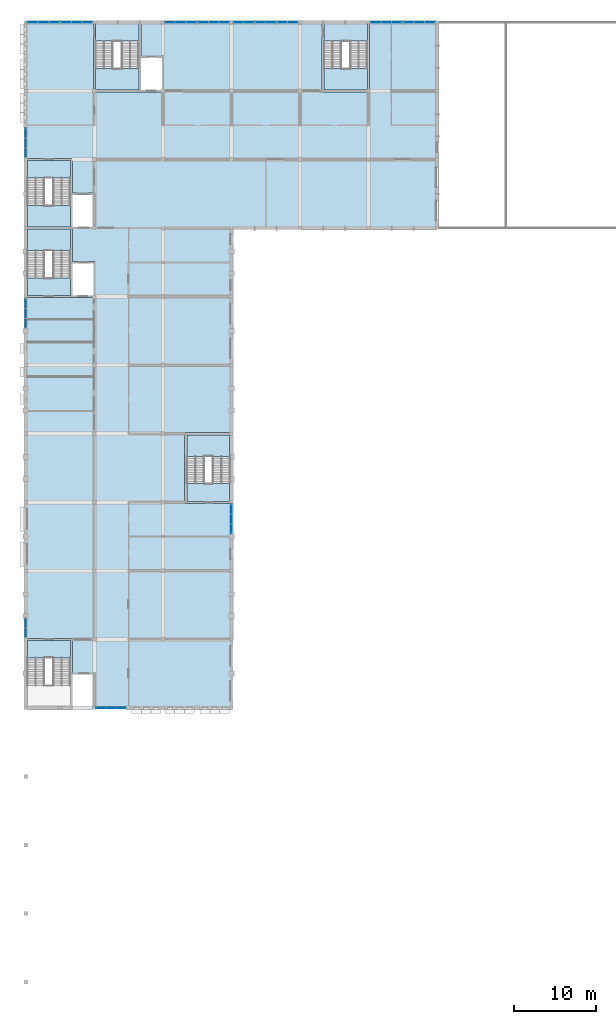
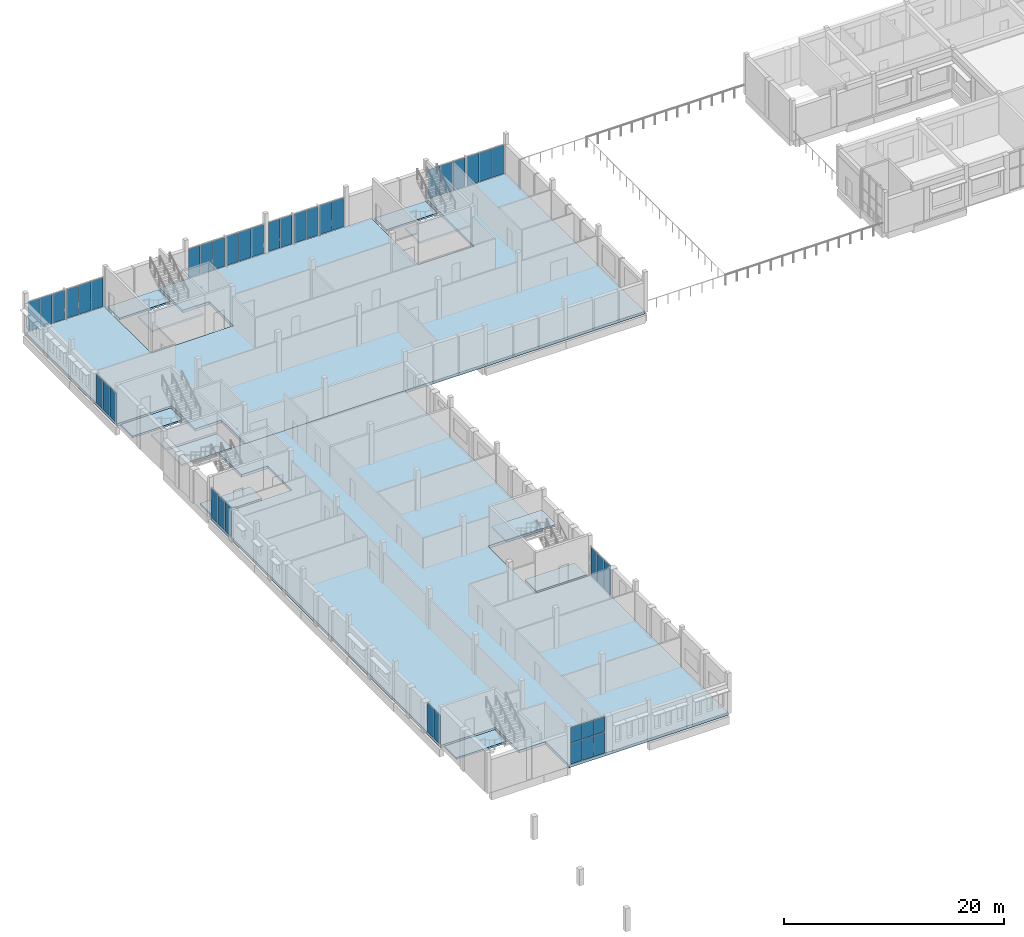
# One storey, part 16 of 30: 41 plates, 13 slabs, 20 elements without a shape of their own.
"""IFC4 building model written with IfcOpenShell, lengths in metres."""

from ifc_helpers import new_model, si_unit, direction, frame, origin, origin_2d, place, context, subcontext, project, spatial, polyline, rectangle, outline, extrude, material, layer, layer_set, type_object, element, aggregate, save


model = new_model("IFC4")

# Units and contexts
model_context = context("Model", 3, precision=1e-05, world=origin(), true_north=direction((0.0, 1.0)))
body_context = subcontext(model_context, "Body", "Model", "MODEL_VIEW")
ifc_project = project(units=[si_unit("LENGTHUNIT", "METRE"), si_unit("AREAUNIT", "SQUARE_METRE"), si_unit("VOLUMEUNIT", "CUBIC_METRE"), si_unit("PLANEANGLEUNIT", "RADIAN"), si_unit("MASSUNIT", "GRAM", prefix="KILO")], contexts=[model_context])

# Site, building, storey
site_placement = place(None, origin())
site = spatial("IfcSite", under=ifc_project, at=site_placement, CompositionType="ELEMENT")
building_placement = place(site_placement, origin())
building = spatial("IfcBuilding", under=site, at=building_placement, Name="Fescue Hill Polytechnic", CompositionType="ELEMENT")
storey_placement = place(building_placement, frame((0.0, 0.0, 22.5)))
storey = spatial("IfcBuildingStorey", under=building, at=storey_placement, Name="L05", CompositionType="ELEMENT", Elevation=22.5)

# Slabs
ifc_material_1 = material(Name="Concrete 35 MPa", Category="concrete")
ifc_layer_1 = layer(ifc_material_1, 0.300048828125)
ifc_layer_set_1 = layer_set([ifc_layer_1], Name="Concrete 35 MPa")
slab_type_1 = type_object("IfcSlabType", Name="Floor slab 300", PredefinedType="FLOOR", material=ifc_layer_set_1)
slab_1_placement = place(storey_placement, frame((0.0, 0.0, -0.300048828125)))
element("IfcSlab", 1, at=slab_1_placement, inside=storey, type_object=slab_type_1, Name="SL-L05-V4-1", PredefinedType="FLOOR", context=body_context, shape_type="SweptSolid", body=[
    extrude(outline(polyline([(25.199951171875, 50.39990234375), (8.5, 50.39990234375), (8.5, 54.699951171875), (5.72509765625, 54.699951171875), (5.72509765625, 58.925048828125), (0.0, 58.925048828125), (0.0, 100.675048828125), (5.72509765625, 100.675048828125), (5.72509765625, 100.699951171875), (8.5, 100.699951171875), (8.5, 105.10009765625), (5.72509765625, 105.10009765625), (5.72509765625, 109.199951171875), (25.199951171875, 109.199951171875), (25.199951171875, 84.125), (19.47509765625, 84.125), (19.47509765625, 75.47509765625), (25.199951171875, 75.47509765625), (25.199951171875, 50.39990234375)])), origin(), (0.0, 0.0, 1.0), 0.300048828125),
])
slab_2_placement = place(storey_placement, frame((0.0, 0.0, -0.300048828125)))
element("IfcSlab", 2, at=slab_2_placement, inside=storey, type_object=slab_type_1, Name="SL-L05-V5-1", PredefinedType="FLOOR", context=body_context, shape_type="SweptSolid", body=[
    extrude(outline(polyline([(50.39990234375, 134.39990234375), (50.39990234375, 109.199951171875), (8.5, 109.199951171875), (8.5, 113.5), (5.72509765625, 113.5), (5.72509765625, 117.72509765625), (0.0, 117.72509765625), (0.0, 134.39990234375), (8.27490234375, 134.39990234375), (8.27490234375, 125.875), (14.125, 125.875), (14.125, 125.89990234375), (16.89990234375, 125.89990234375), (16.89990234375, 130.300048828125), (14.125, 130.300048828125), (14.125, 134.39990234375), (36.27490234375, 134.39990234375), (36.27490234375, 125.875), (42.125, 125.875), (42.125, 134.39990234375), (50.39990234375, 134.39990234375)])), origin(), (0.0, 0.0, 1.0), 0.300048828125),
])

# Curtain wall, plates
ifc_material_2 = material(Name="Glass", Category="glass")
curtain_wall_type = type_object("IfcCurtainWallType", Name="Curtain wall structural glazing", PredefinedType="NOTDEFINED", material=ifc_material_2)
curtain_wall_1_placement = place(storey_placement, origin())
curtain_wall_1 = element("IfcCurtainWall", 3, at=curtain_wall_1_placement, inside=storey, type_object=curtain_wall_type, Name="CW-L05-V5-1", PredefinedType="NOTDEFINED")
ifc_layer_2 = layer(ifc_material_2, 0.028076171875)
ifc_layer_set_2 = layer_set([ifc_layer_2], Name="Glass")
plate_type = type_object("IfcPlateType", Name="Panel glazing 28", PredefinedType="CURTAIN_PANEL", material=ifc_layer_set_2)
plate_1_placement = place(storey_placement, frame((49.5283203125, 134.39990234375, 0.06005859375), z_axis=(0.0, 0.0, 1.0), x_axis=(-1.0, 0.0, 0.0)))
plate_1 = element("IfcPlate", 4, at=plate_1_placement, type_object=plate_type, Name="CW92 panel 1.1", PredefinedType="CURTAIN_PANEL", context=body_context, shape_type="SweptSolid", body=[
    extrude(rectangle(XDim=1.223388671875, YDim=0.028076171875, at=origin_2d()), origin(), (0.0, 0.0, 1.0), 3.2099609375),
])
plate_2_placement = place(storey_placement, frame((48.22998046875, 134.39990234375, 0.06005859375), z_axis=(0.0, 0.0, 1.0), x_axis=(-1.0, 0.0, 0.0)))
plate_2 = element("IfcPlate", 5, at=plate_2_placement, type_object=plate_type, Name="CW92 panel 2.1", PredefinedType="CURTAIN_PANEL", context=body_context, shape_type="SweptSolid", body=[
    extrude(rectangle(XDim=1.25341796875, YDim=0.028076171875, at=origin_2d()), origin(), (0.0, 0.0, 1.0), 3.2099609375),
])
plate_3_placement = place(storey_placement, frame((46.931640625, 134.39990234375, 0.06005859375), z_axis=(0.0, 0.0, 1.0), x_axis=(-1.0, 0.0, 0.0)))
plate_3 = element("IfcPlate", 6, at=plate_3_placement, type_object=plate_type, Name="CW92 panel 3.1", PredefinedType="CURTAIN_PANEL", context=body_context, shape_type="SweptSolid", body=[
    extrude(rectangle(XDim=1.223388671875, YDim=0.028076171875, at=origin_2d()), origin(), (0.0, 0.0, 1.0), 3.2099609375),
])
aggregate(curtain_wall_1, [plate_1, plate_2, plate_3])

curtain_wall_2_placement = place(storey_placement, origin())
curtain_wall_2 = element("IfcCurtainWall", 7, at=curtain_wall_2_placement, inside=storey, type_object=curtain_wall_type, Name="CW-L05-V5-2", PredefinedType="NOTDEFINED")
plate_4_placement = place(storey_placement, frame((32.7333984375, 134.39990234375, 0.06005859375), z_axis=(0.0, 0.0, 1.0), x_axis=(-1.0, 0.0, 0.0)))
plate_4 = element("IfcPlate", 8, at=plate_4_placement, type_object=plate_type, Name="CW93 panel 1.1", PredefinedType="CURTAIN_PANEL", context=body_context, shape_type="SweptSolid", body=[
    extrude(rectangle(XDim=1.21337890625, YDim=0.028076171875, at=origin_2d()), origin(), (0.0, 0.0, 1.0), 3.2099609375),
])
plate_5_placement = place(storey_placement, frame((31.4599609375, 134.39990234375, 0.06005859375), z_axis=(0.0, 0.0, 1.0), x_axis=(-1.0, 0.0, 0.0)))
plate_5 = element("IfcPlate", 9, at=plate_5_placement, type_object=plate_type, Name="CW93 panel 2.1", PredefinedType="CURTAIN_PANEL", context=body_context, shape_type="SweptSolid", body=[
    extrude(rectangle(XDim=1.21337890625, YDim=0.028076171875, at=origin_2d()), origin(), (0.0, 0.0, 1.0), 3.2099609375),
])
aggregate(curtain_wall_2, [plate_4, plate_5])

curtain_wall_3_placement = place(storey_placement, origin())
curtain_wall_3 = element("IfcCurtainWall", 10, at=curtain_wall_3_placement, inside=storey, type_object=curtain_wall_type, Name="CW-L05-V5-3", PredefinedType="NOTDEFINED")
plate_6_placement = place(storey_placement, frame((30.021728515625, 134.39990234375, 0.06005859375), z_axis=(0.0, 0.0, 1.0), x_axis=(-1.0, 0.0, 0.0)))
plate_6 = element("IfcPlate", 11, at=plate_6_placement, type_object=plate_type, Name="CW94 panel 1.1", PredefinedType="CURTAIN_PANEL", context=body_context, shape_type="SweptSolid", body=[
    extrude(rectangle(XDim=1.183349609375, YDim=0.028076171875, at=origin_2d()), origin(), (0.0, 0.0, 1.0), 3.2099609375),
])
plate_7_placement = place(storey_placement, frame((28.7783203125, 134.39990234375, 0.06005859375), z_axis=(0.0, 0.0, 1.0), x_axis=(-1.0, 0.0, 0.0)))
plate_7 = element("IfcPlate", 12, at=plate_7_placement, type_object=plate_type, Name="CW94 panel 2.1", PredefinedType="CURTAIN_PANEL", context=body_context, shape_type="SweptSolid", body=[
    extrude(rectangle(XDim=1.183349609375, YDim=0.028076171875, at=origin_2d()), origin(), (0.0, 0.0, 1.0), 3.2099609375),
])
aggregate(curtain_wall_3, [plate_6, plate_7])

curtain_wall_4_placement = place(storey_placement, origin())
curtain_wall_4 = element("IfcCurtainWall", 13, at=curtain_wall_4_placement, inside=storey, type_object=curtain_wall_type, Name="CW-L05-V5-4", PredefinedType="NOTDEFINED")
plate_8_placement = place(storey_placement, frame((27.340087890625, 134.39990234375, 0.06005859375), z_axis=(0.0, 0.0, 1.0), x_axis=(-1.0, 0.0, 0.0)))
plate_8 = element("IfcPlate", 14, at=plate_8_placement, type_object=plate_type, Name="CW95 panel 1.1", PredefinedType="CURTAIN_PANEL", context=body_context, shape_type="SweptSolid", body=[
    extrude(rectangle(XDim=1.21337890625, YDim=0.028076171875, at=origin_2d()), origin(), (0.0, 0.0, 1.0), 3.2099609375),
])
plate_9_placement = place(storey_placement, frame((26.066650390625, 134.39990234375, 0.06005859375), z_axis=(0.0, 0.0, 1.0), x_axis=(-1.0, 0.0, 0.0)))
plate_9 = element("IfcPlate", 15, at=plate_9_placement, type_object=plate_type, Name="CW95 panel 2.1", PredefinedType="CURTAIN_PANEL", context=body_context, shape_type="SweptSolid", body=[
    extrude(rectangle(XDim=1.21337890625, YDim=0.028076171875, at=origin_2d()), origin(), (0.0, 0.0, 1.0), 3.2099609375),
])
aggregate(curtain_wall_4, [plate_8, plate_9])

curtain_wall_5_placement = place(storey_placement, origin())
curtain_wall_5 = element("IfcCurtainWall", 16, at=curtain_wall_5_placement, inside=storey, type_object=curtain_wall_type, Name="CW-L05-V5-5", PredefinedType="NOTDEFINED")
plate_10_placement = place(storey_placement, frame((24.328369140625, 134.39990234375, 0.06005859375), z_axis=(0.0, 0.0, 1.0), x_axis=(-1.0, 0.0, 0.0)))
plate_10 = element("IfcPlate", 17, at=plate_10_placement, type_object=plate_type, Name="CW96 panel 1.1", PredefinedType="CURTAIN_PANEL", context=body_context, shape_type="SweptSolid", body=[
    extrude(rectangle(XDim=1.223388671875, YDim=0.028076171875, at=origin_2d()), origin(), (0.0, 0.0, 1.0), 3.2099609375),
])
plate_11_placement = place(storey_placement, frame((23.030029296875, 134.39990234375, 0.06005859375), z_axis=(0.0, 0.0, 1.0), x_axis=(-1.0, 0.0, 0.0)))
plate_11 = element("IfcPlate", 18, at=plate_11_placement, type_object=plate_type, Name="CW96 panel 2.1", PredefinedType="CURTAIN_PANEL", context=body_context, shape_type="SweptSolid", body=[
    extrude(rectangle(XDim=1.25341796875, YDim=0.028076171875, at=origin_2d()), origin(), (0.0, 0.0, 1.0), 3.2099609375),
])
plate_12_placement = place(storey_placement, frame((21.731689453125, 134.39990234375, 0.06005859375), z_axis=(0.0, 0.0, 1.0), x_axis=(-1.0, 0.0, 0.0)))
plate_12 = element("IfcPlate", 19, at=plate_12_placement, type_object=plate_type, Name="CW96 panel 3.1", PredefinedType="CURTAIN_PANEL", context=body_context, shape_type="SweptSolid", body=[
    extrude(rectangle(XDim=1.223388671875, YDim=0.028076171875, at=origin_2d()), origin(), (0.0, 0.0, 1.0), 3.2099609375),
])
aggregate(curtain_wall_5, [plate_10, plate_11, plate_12])

curtain_wall_6_placement = place(storey_placement, origin())
curtain_wall_6 = element("IfcCurtainWall", 20, at=curtain_wall_6_placement, inside=storey, type_object=curtain_wall_type, Name="CW-L05-V5-6", PredefinedType="NOTDEFINED")
plate_13_placement = place(storey_placement, frame((20.268310546875, 134.39990234375, 0.06005859375), z_axis=(0.0, 0.0, 1.0), x_axis=(-1.0, 0.0, 0.0)))
plate_13 = element("IfcPlate", 21, at=plate_13_placement, type_object=plate_type, Name="CW97 panel 1.1", PredefinedType="CURTAIN_PANEL", context=body_context, shape_type="SweptSolid", body=[
    extrude(rectangle(XDim=1.223388671875, YDim=0.028076171875, at=origin_2d()), origin(), (0.0, 0.0, 1.0), 3.2099609375),
])
plate_14_placement = place(storey_placement, frame((18.969970703125, 134.39990234375, 0.06005859375), z_axis=(0.0, 0.0, 1.0), x_axis=(-1.0, 0.0, 0.0)))
plate_14 = element("IfcPlate", 22, at=plate_14_placement, type_object=plate_type, Name="CW97 panel 2.1", PredefinedType="CURTAIN_PANEL", context=body_context, shape_type="SweptSolid", body=[
    extrude(rectangle(XDim=1.25341796875, YDim=0.028076171875, at=origin_2d()), origin(), (0.0, 0.0, 1.0), 3.2099609375),
])
plate_15_placement = place(storey_placement, frame((17.671630859375, 134.39990234375, 0.06005859375), z_axis=(0.0, 0.0, 1.0), x_axis=(-1.0, 0.0, 0.0)))
plate_15 = element("IfcPlate", 23, at=plate_15_placement, type_object=plate_type, Name="CW97 panel 3.1", PredefinedType="CURTAIN_PANEL", context=body_context, shape_type="SweptSolid", body=[
    extrude(rectangle(XDim=1.223388671875, YDim=0.028076171875, at=origin_2d()), origin(), (0.0, 0.0, 1.0), 3.2099609375),
])
aggregate(curtain_wall_6, [plate_13, plate_14, plate_15])

curtain_wall_7_placement = place(storey_placement, origin())
curtain_wall_7 = element("IfcCurtainWall", 24, at=curtain_wall_7_placement, inside=storey, type_object=curtain_wall_type, Name="CW-L05-V5-7", PredefinedType="NOTDEFINED")
plate_16_placement = place(storey_placement, frame((3.46826171875, 134.39990234375, 0.06005859375), z_axis=(0.0, 0.0, 1.0), x_axis=(-1.0, 0.0, 0.0)))
plate_16 = element("IfcPlate", 25, at=plate_16_placement, type_object=plate_type, Name="CW98 panel 1.1", PredefinedType="CURTAIN_PANEL", context=body_context, shape_type="SweptSolid", body=[
    extrude(rectangle(XDim=1.223388671875, YDim=0.028076171875, at=origin_2d()), origin(), (0.0, 0.0, 1.0), 3.2099609375),
])
plate_17_placement = place(storey_placement, frame((2.169921875, 134.39990234375, 0.06005859375), z_axis=(0.0, 0.0, 1.0), x_axis=(-1.0, 0.0, 0.0)))
plate_17 = element("IfcPlate", 26, at=plate_17_placement, type_object=plate_type, Name="CW98 panel 2.1", PredefinedType="CURTAIN_PANEL", context=body_context, shape_type="SweptSolid", body=[
    extrude(rectangle(XDim=1.25341796875, YDim=0.028076171875, at=origin_2d()), origin(), (0.0, 0.0, 1.0), 3.2099609375),
])
plate_18_placement = place(storey_placement, frame((0.87158203125, 134.39990234375, 0.06005859375), z_axis=(0.0, 0.0, 1.0), x_axis=(-1.0, 0.0, 0.0)))
plate_18 = element("IfcPlate", 27, at=plate_18_placement, type_object=plate_type, Name="CW98 panel 3.1", PredefinedType="CURTAIN_PANEL", context=body_context, shape_type="SweptSolid", body=[
    extrude(rectangle(XDim=1.223388671875, YDim=0.028076171875, at=origin_2d()), origin(), (0.0, 0.0, 1.0), 3.2099609375),
])
aggregate(curtain_wall_7, [plate_16, plate_17, plate_18])

curtain_wall_8_placement = place(storey_placement, origin())
curtain_wall_8 = element("IfcCurtainWall", 28, at=curtain_wall_8_placement, inside=storey, type_object=curtain_wall_type, Name="CW-L05-V4-X1", PredefinedType="NOTDEFINED")
plate_19_placement = place(storey_placement, frame((0.0, 60.760009765625, 0.06005859375), z_axis=(0.0, 0.0, 1.0), x_axis=(0.0, -1.0, 0.0)))
plate_19 = element("IfcPlate", 29, at=plate_19_placement, type_object=plate_type, Name="CW125 panel 1.1", PredefinedType="CURTAIN_PANEL", context=body_context, shape_type="SweptSolid", body=[
    extrude(rectangle(XDim=1.09326171875, YDim=0.028076171875, at=origin_2d()), origin(), (0.0, 0.0, 1.0), 3.2099609375),
])
plate_20_placement = place(storey_placement, frame((0.0, 59.606689453125, 0.06005859375), z_axis=(0.0, 0.0, 1.0), x_axis=(0.0, -1.0, 0.0)))
plate_20 = element("IfcPlate", 30, at=plate_20_placement, type_object=plate_type, Name="CW125 panel 2.1", PredefinedType="CURTAIN_PANEL", context=body_context, shape_type="SweptSolid", body=[
    extrude(rectangle(XDim=1.09326171875, YDim=0.028076171875, at=origin_2d()), origin(), (0.0, 0.0, 1.0), 3.2099609375),
])
aggregate(curtain_wall_8, [plate_19, plate_20])

curtain_wall_9_placement = place(storey_placement, origin())
curtain_wall_9 = element("IfcCurtainWall", 31, at=curtain_wall_9_placement, inside=storey, type_object=curtain_wall_type, Name="CW-L05-V4-X2", PredefinedType="NOTDEFINED")
plate_21_placement = place(storey_placement, frame((0.0, 99.96826171875, 0.06005859375), z_axis=(0.0, 0.0, 1.0), x_axis=(0.0, -1.0, 0.0)))
plate_21 = element("IfcPlate", 32, at=plate_21_placement, type_object=plate_type, Name="CW131 panel 1.1", PredefinedType="CURTAIN_PANEL", context=body_context, shape_type="SweptSolid", body=[
    extrude(rectangle(XDim=1.143310546875, YDim=0.028076171875, at=origin_2d()), origin(), (0.0, 0.0, 1.0), 3.2099609375),
])
plate_22_placement = place(storey_placement, frame((0.0, 98.75, 0.06005859375), z_axis=(0.0, 0.0, 1.0), x_axis=(0.0, -1.0, 0.0)))
plate_22 = element("IfcPlate", 33, at=plate_22_placement, type_object=plate_type, Name="CW131 panel 2.1", PredefinedType="CURTAIN_PANEL", context=body_context, shape_type="SweptSolid", body=[
    extrude(rectangle(XDim=1.17333984375, YDim=0.028076171875, at=origin_2d()), origin(), (0.0, 0.0, 1.0), 3.2099609375),
])
plate_23_placement = place(storey_placement, frame((0.0, 97.53173828125, 0.06005859375), z_axis=(0.0, 0.0, 1.0), x_axis=(0.0, -1.0, 0.0)))
plate_23 = element("IfcPlate", 34, at=plate_23_placement, type_object=plate_type, Name="CW131 panel 3.1", PredefinedType="CURTAIN_PANEL", context=body_context, shape_type="SweptSolid", body=[
    extrude(rectangle(XDim=1.143310546875, YDim=0.028076171875, at=origin_2d()), origin(), (0.0, 0.0, 1.0), 3.2099609375),
])
aggregate(curtain_wall_9, [plate_21, plate_22, plate_23])

curtain_wall_10_placement = place(storey_placement, origin())
curtain_wall_10 = element("IfcCurtainWall", 35, at=curtain_wall_10_placement, inside=storey, type_object=curtain_wall_type, Name="CW-L05-V4-X3", PredefinedType="NOTDEFINED")
plate_24_placement = place(storey_placement, frame((25.199951171875, 72.331787109375, 0.06005859375), z_axis=(0.0, 0.0, 1.0), x_axis=(0.0, 1.0, 0.0)))
plate_24 = element("IfcPlate", 36, at=plate_24_placement, type_object=plate_type, Name="CW138 panel 1.1", PredefinedType="CURTAIN_PANEL", context=body_context, shape_type="SweptSolid", body=[
    extrude(rectangle(XDim=1.143310546875, YDim=0.028076171875, at=origin_2d()), origin(), (0.0, 0.0, 1.0), 3.2099609375),
])
plate_25_placement = place(storey_placement, frame((25.199951171875, 73.550048828125, 0.06005859375), z_axis=(0.0, 0.0, 1.0), x_axis=(0.0, 1.0, 0.0)))
plate_25 = element("IfcPlate", 37, at=plate_25_placement, type_object=plate_type, Name="CW138 panel 2.1", PredefinedType="CURTAIN_PANEL", context=body_context, shape_type="SweptSolid", body=[
    extrude(rectangle(XDim=1.17333984375, YDim=0.028076171875, at=origin_2d()), origin(), (0.0, 0.0, 1.0), 3.2099609375),
])
plate_26_placement = place(storey_placement, frame((25.199951171875, 74.768310546875, 0.06005859375), z_axis=(0.0, 0.0, 1.0), x_axis=(0.0, 1.0, 0.0)))
plate_26 = element("IfcPlate", 38, at=plate_26_placement, type_object=plate_type, Name="CW138 panel 3.1", PredefinedType="CURTAIN_PANEL", context=body_context, shape_type="SweptSolid", body=[
    extrude(rectangle(XDim=1.143310546875, YDim=0.028076171875, at=origin_2d()), origin(), (0.0, 0.0, 1.0), 3.2099609375),
])
aggregate(curtain_wall_10, [plate_24, plate_25, plate_26])

curtain_wall_11_placement = place(storey_placement, origin())
curtain_wall_11 = element("IfcCurtainWall", 39, at=curtain_wall_11_placement, inside=storey, type_object=curtain_wall_type, Name="CW-L05-V4-X4", PredefinedType="NOTDEFINED")
plate_27_placement = place(storey_placement, frame((9.231689453125, 50.39990234375, 0.06005859375), z_axis=(0.0, 0.0, 1.0), x_axis=(1.0, 0.0, 0.0)))
plate_27 = element("IfcPlate", 40, at=plate_27_placement, type_object=plate_type, Name="CW143 panel 1.1", PredefinedType="CURTAIN_PANEL", context=body_context, shape_type="SweptSolid", body=[
    extrude(rectangle(XDim=1.143310546875, YDim=0.028076171875, at=origin_2d()), origin(), (0.0, 0.0, 1.0), 2.31005859375),
])
plate_28_placement = place(storey_placement, frame((9.231689453125, 50.39990234375, 2.429931640625), z_axis=(0.0, 0.0, 1.0), x_axis=(1.0, 0.0, 0.0)))
plate_28 = element("IfcPlate", 41, at=plate_28_placement, type_object=plate_type, Name="CW143 panel 1.2", PredefinedType="CURTAIN_PANEL", context=body_context, shape_type="SweptSolid", body=[
    extrude(rectangle(XDim=1.143310546875, YDim=0.028076171875, at=origin_2d()), origin(), (0.0, 0.0, 1.0), 1.68994140625),
])
plate_29_placement = place(storey_placement, frame((10.449951171875, 50.39990234375, 0.06005859375), z_axis=(0.0, 0.0, 1.0), x_axis=(1.0, 0.0, 0.0)))
plate_29 = element("IfcPlate", 42, at=plate_29_placement, type_object=plate_type, Name="CW143 panel 2.1", PredefinedType="CURTAIN_PANEL", context=body_context, shape_type="SweptSolid", body=[
    extrude(rectangle(XDim=1.17333984375, YDim=0.028076171875, at=origin_2d()), origin(), (0.0, 0.0, 1.0), 2.31005859375),
])
plate_30_placement = place(storey_placement, frame((10.449951171875, 50.39990234375, 2.429931640625), z_axis=(0.0, 0.0, 1.0), x_axis=(1.0, 0.0, 0.0)))
plate_30 = element("IfcPlate", 43, at=plate_30_placement, type_object=plate_type, Name="CW143 panel 2.2", PredefinedType="CURTAIN_PANEL", context=body_context, shape_type="SweptSolid", body=[
    extrude(rectangle(XDim=1.17333984375, YDim=0.028076171875, at=origin_2d()), origin(), (0.0, 0.0, 1.0), 1.68994140625),
])
plate_31_placement = place(storey_placement, frame((11.668212890625, 50.39990234375, 0.06005859375), z_axis=(0.0, 0.0, 1.0), x_axis=(1.0, 0.0, 0.0)))
plate_31 = element("IfcPlate", 44, at=plate_31_placement, type_object=plate_type, Name="CW143 panel 3.1", PredefinedType="CURTAIN_PANEL", context=body_context, shape_type="SweptSolid", body=[
    extrude(rectangle(XDim=1.143310546875, YDim=0.028076171875, at=origin_2d()), origin(), (0.0, 0.0, 1.0), 2.31005859375),
])
plate_32_placement = place(storey_placement, frame((11.668212890625, 50.39990234375, 2.429931640625), z_axis=(0.0, 0.0, 1.0), x_axis=(1.0, 0.0, 0.0)))
plate_32 = element("IfcPlate", 45, at=plate_32_placement, type_object=plate_type, Name="CW143 panel 3.2", PredefinedType="CURTAIN_PANEL", context=body_context, shape_type="SweptSolid", body=[
    extrude(rectangle(XDim=1.143310546875, YDim=0.028076171875, at=origin_2d()), origin(), (0.0, 0.0, 1.0), 1.68994140625),
])
aggregate(curtain_wall_11, [plate_27, plate_28, plate_29, plate_30, plate_31, plate_32])

curtain_wall_12_placement = place(storey_placement, origin())
curtain_wall_12 = element("IfcCurtainWall", 46, at=curtain_wall_12_placement, inside=storey, type_object=curtain_wall_type, Name="CW-L05-V5-X1", PredefinedType="NOTDEFINED")
plate_33_placement = place(storey_placement, frame((0.0, 120.868408203125, 0.06005859375), z_axis=(0.0, 0.0, 1.0), x_axis=(0.0, -1.0, 0.0)))
plate_33 = element("IfcPlate", 47, at=plate_33_placement, type_object=plate_type, Name="CW148 panel 1.1", PredefinedType="CURTAIN_PANEL", context=body_context, shape_type="SweptSolid", body=[
    extrude(rectangle(XDim=1.143310546875, YDim=0.028076171875, at=origin_2d()), origin(), (0.0, 0.0, 1.0), 3.2099609375),
])
plate_34_placement = place(storey_placement, frame((0.0, 119.64990234375, 0.06005859375), z_axis=(0.0, 0.0, 1.0), x_axis=(0.0, -1.0, 0.0)))
plate_34 = element("IfcPlate", 48, at=plate_34_placement, type_object=plate_type, Name="CW148 panel 2.1", PredefinedType="CURTAIN_PANEL", context=body_context, shape_type="SweptSolid", body=[
    extrude(rectangle(XDim=1.17333984375, YDim=0.028076171875, at=origin_2d()), origin(), (0.0, 0.0, 1.0), 3.2099609375),
])
plate_35_placement = place(storey_placement, frame((0.0, 118.431640625, 0.06005859375), z_axis=(0.0, 0.0, 1.0), x_axis=(0.0, -1.0, 0.0)))
plate_35 = element("IfcPlate", 49, at=plate_35_placement, type_object=plate_type, Name="CW148 panel 3.1", PredefinedType="CURTAIN_PANEL", context=body_context, shape_type="SweptSolid", body=[
    extrude(rectangle(XDim=1.143310546875, YDim=0.028076171875, at=origin_2d()), origin(), (0.0, 0.0, 1.0), 3.2099609375),
])
aggregate(curtain_wall_12, [plate_33, plate_34, plate_35])

curtain_wall_13_placement = place(storey_placement, origin())
curtain_wall_13 = element("IfcCurtainWall", 50, at=curtain_wall_13_placement, inside=storey, type_object=curtain_wall_type, Name="CW-L05-V5-X2", PredefinedType="NOTDEFINED")
plate_36_placement = place(storey_placement, frame((45.46826171875, 134.39990234375, 0.06005859375), z_axis=(0.0, 0.0, 1.0), x_axis=(-1.0, 0.0, 0.0)))
plate_36 = element("IfcPlate", 51, at=plate_36_placement, type_object=plate_type, Name="CW154 panel 1.1", PredefinedType="CURTAIN_PANEL", context=body_context, shape_type="SweptSolid", body=[
    extrude(rectangle(XDim=1.223388671875, YDim=0.028076171875, at=origin_2d()), origin(), (0.0, 0.0, 1.0), 3.2099609375),
])
plate_37_placement = place(storey_placement, frame((44.169921875, 134.39990234375, 0.06005859375), z_axis=(0.0, 0.0, 1.0), x_axis=(-1.0, 0.0, 0.0)))
plate_37 = element("IfcPlate", 52, at=plate_37_placement, type_object=plate_type, Name="CW154 panel 2.1", PredefinedType="CURTAIN_PANEL", context=body_context, shape_type="SweptSolid", body=[
    extrude(rectangle(XDim=1.25341796875, YDim=0.028076171875, at=origin_2d()), origin(), (0.0, 0.0, 1.0), 3.2099609375),
])
plate_38_placement = place(storey_placement, frame((42.87158203125, 134.39990234375, 0.06005859375), z_axis=(0.0, 0.0, 1.0), x_axis=(-1.0, 0.0, 0.0)))
plate_38 = element("IfcPlate", 53, at=plate_38_placement, type_object=plate_type, Name="CW154 panel 3.1", PredefinedType="CURTAIN_PANEL", context=body_context, shape_type="SweptSolid", body=[
    extrude(rectangle(XDim=1.223388671875, YDim=0.028076171875, at=origin_2d()), origin(), (0.0, 0.0, 1.0), 3.2099609375),
])
aggregate(curtain_wall_13, [plate_36, plate_37, plate_38])

curtain_wall_14_placement = place(storey_placement, origin())
curtain_wall_14 = element("IfcCurtainWall", 54, at=curtain_wall_14_placement, inside=storey, type_object=curtain_wall_type, Name="CW-L05-V5-X3", PredefinedType="NOTDEFINED")
plate_39_placement = place(storey_placement, frame((7.5283203125, 134.39990234375, 0.06005859375), z_axis=(0.0, 0.0, 1.0), x_axis=(-1.0, 0.0, 0.0)))
plate_39 = element("IfcPlate", 55, at=plate_39_placement, type_object=plate_type, Name="CW160 panel 1.1", PredefinedType="CURTAIN_PANEL", context=body_context, shape_type="SweptSolid", body=[
    extrude(rectangle(XDim=1.223388671875, YDim=0.028076171875, at=origin_2d()), origin(), (0.0, 0.0, 1.0), 3.2099609375),
])
plate_40_placement = place(storey_placement, frame((6.22998046875, 134.39990234375, 0.06005859375), z_axis=(0.0, 0.0, 1.0), x_axis=(-1.0, 0.0, 0.0)))
plate_40 = element("IfcPlate", 56, at=plate_40_placement, type_object=plate_type, Name="CW160 panel 2.1", PredefinedType="CURTAIN_PANEL", context=body_context, shape_type="SweptSolid", body=[
    extrude(rectangle(XDim=1.25341796875, YDim=0.028076171875, at=origin_2d()), origin(), (0.0, 0.0, 1.0), 3.2099609375),
])
plate_41_placement = place(storey_placement, frame((4.931640625, 134.39990234375, 0.06005859375), z_axis=(0.0, 0.0, 1.0), x_axis=(-1.0, 0.0, 0.0)))
plate_41 = element("IfcPlate", 57, at=plate_41_placement, type_object=plate_type, Name="CW160 panel 3.1", PredefinedType="CURTAIN_PANEL", context=body_context, shape_type="SweptSolid", body=[
    extrude(rectangle(XDim=1.223388671875, YDim=0.028076171875, at=origin_2d()), origin(), (0.0, 0.0, 1.0), 3.2099609375),
])
aggregate(curtain_wall_14, [plate_39, plate_40, plate_41])

# Stair, slab
stair_type = type_object("IfcStairType", Name="Half-turn stair 2150 flights", PredefinedType="HALF_TURN_STAIR", material=ifc_material_1)
stair_1_placement = place(storey_placement, origin())
stair_1 = element("IfcStair", 58, at=stair_1_placement, inside=storey, type_object=stair_type, Name="L05 ST-V4-1 stair", PredefinedType="HALF_TURN_STAIR")
ifc_layer_3 = layer(ifc_material_1, 0.199951171875)
ifc_layer_set_3 = layer_set([ifc_layer_3], Name="Concrete 35 MPa")
slab_type_2 = type_object("IfcSlabType", Name="Stair landing slab 200", PredefinedType="LANDING", material=ifc_layer_set_3)
slab_3_placement = place(storey_placement, frame((0.0, 0.0, -0.199951171875)))
slab_3 = element("IfcSlab", 59, at=slab_3_placement, type_object=slab_type_2, Name="S15 landing 2", PredefinedType="LANDING", context=body_context, shape_type="SweptSolid", body=[
    extrude(outline(polyline([(0.22509765625, 56.52490234375), (5.47509765625, 56.52490234375), (5.47509765625, 58.675048828125), (0.22509765625, 58.675048828125), (0.22509765625, 56.52490234375)])), origin(), (0.0, 0.0, 1.0), 0.199951171875),
])
aggregate(stair_1, [slab_3])

# Stair, slabs
stair_2_placement = place(storey_placement, origin())
stair_2 = element("IfcStair", 60, at=stair_2_placement, inside=storey, type_object=stair_type, Name="L05 ST-V4-2 stair", PredefinedType="HALF_TURN_STAIR")
slab_4_placement = place(storey_placement, frame((0.0, 0.0, 2.050048828125)))
slab_4 = element("IfcSlab", 61, at=slab_4_placement, type_object=slab_type_2, Name="S16 landing 1", PredefinedType="LANDING", context=body_context, shape_type="SweptSolid", body=[
    extrude(outline(polyline([(0.22509765625, 106.43505859375), (5.47509765625, 106.43505859375), (5.47509765625, 109.074951171875), (0.22509765625, 109.074951171875), (0.22509765625, 106.43505859375)])), origin(), (0.0, 0.0, 1.0), 0.199951171875),
])
slab_5_placement = place(storey_placement, frame((0.0, 0.0, -0.199951171875)))
slab_5 = element("IfcSlab", 62, at=slab_5_placement, type_object=slab_type_2, Name="S16 landing 2", PredefinedType="LANDING", context=body_context, shape_type="SweptSolid", body=[
    extrude(outline(polyline([(0.22509765625, 100.925048828125), (5.5, 100.925048828125), (5.5, 103.074951171875), (0.22509765625, 103.074951171875), (0.22509765625, 100.925048828125)])), origin(), (0.0, 0.0, 1.0), 0.199951171875),
])
aggregate(stair_2, [slab_4, slab_5])

stair_3_placement = place(storey_placement, origin())
stair_3 = element("IfcStair", 63, at=stair_3_placement, inside=storey, type_object=stair_type, Name="L05 ST-V4-3 stair", PredefinedType="HALF_TURN_STAIR")
slab_6_placement = place(storey_placement, frame((0.0, 0.0, 2.050048828125)))
slab_6 = element("IfcSlab", 64, at=slab_6_placement, type_object=slab_type_2, Name="S17 landing 1", PredefinedType="LANDING", context=body_context, shape_type="SweptSolid", body=[
    extrude(outline(polyline([(19.72509765625, 81.235107421875), (24.97509765625, 81.235107421875), (24.97509765625, 83.875), (19.72509765625, 83.875), (19.72509765625, 81.235107421875)])), origin(), (0.0, 0.0, 1.0), 0.199951171875),
])
slab_7_placement = place(storey_placement, frame((0.0, 0.0, -0.199951171875)))
slab_7 = element("IfcSlab", 65, at=slab_7_placement, type_object=slab_type_2, Name="S17 landing 2", PredefinedType="LANDING", context=body_context, shape_type="SweptSolid", body=[
    extrude(outline(polyline([(19.72509765625, 75.72509765625), (24.97509765625, 75.72509765625), (24.97509765625, 77.875), (19.72509765625, 77.875), (19.72509765625, 75.72509765625)])), origin(), (0.0, 0.0, 1.0), 0.199951171875),
])
aggregate(stair_3, [slab_6, slab_7])

stair_4_placement = place(storey_placement, origin())
stair_4 = element("IfcStair", 66, at=stair_4_placement, inside=storey, type_object=stair_type, Name="L05 ST-V5-1 stair", PredefinedType="HALF_TURN_STAIR")
slab_8_placement = place(storey_placement, frame((0.0, 0.0, 2.050048828125)))
slab_8 = element("IfcSlab", 67, at=slab_8_placement, type_object=slab_type_2, Name="S18 landing 1", PredefinedType="LANDING", context=body_context, shape_type="SweptSolid", body=[
    extrude(outline(polyline([(0.2099609375, 109.324951171875), (5.5, 109.324951171875), (5.5, 111.965087890625), (0.2099609375, 111.965087890625), (0.2099609375, 109.324951171875)])), origin(), (0.0, 0.0, 1.0), 0.199951171875),
])
slab_9_placement = place(storey_placement, frame((0.0, 0.0, -0.199951171875)))
slab_9 = element("IfcSlab", 68, at=slab_9_placement, type_object=slab_type_2, Name="S18 landing 2", PredefinedType="LANDING", context=body_context, shape_type="SweptSolid", body=[
    extrude(outline(polyline([(0.2099609375, 115.324951171875), (5.47509765625, 115.324951171875), (5.47509765625, 117.47509765625), (0.2099609375, 117.47509765625), (0.2099609375, 115.324951171875)])), origin(), (0.0, 0.0, 1.0), 0.199951171875),
])
aggregate(stair_4, [slab_8, slab_9])

stair_5_placement = place(storey_placement, origin())
stair_5 = element("IfcStair", 69, at=stair_5_placement, inside=storey, type_object=stair_type, Name="L05 ST-V5-2 stair", PredefinedType="HALF_TURN_STAIR")
slab_10_placement = place(storey_placement, frame((0.0, 0.0, 2.050048828125)))
slab_10 = element("IfcSlab", 70, at=slab_10_placement, type_object=slab_type_2, Name="S19 landing 1", PredefinedType="LANDING", context=body_context, shape_type="SweptSolid", body=[
    extrude(outline(polyline([(36.52490234375, 126.125), (41.875, 126.125), (41.875, 128.739990234375), (36.52490234375, 128.739990234375), (36.52490234375, 126.125)])), origin(), (0.0, 0.0, 1.0), 0.199951171875),
])
slab_11_placement = place(storey_placement, frame((0.0, 0.0, -0.199951171875)))
slab_11 = element("IfcSlab", 71, at=slab_11_placement, type_object=slab_type_2, Name="S19 landing 2", PredefinedType="LANDING", context=body_context, shape_type="SweptSolid", body=[
    extrude(outline(polyline([(36.52490234375, 132.10009765625), (41.875, 132.10009765625), (41.875, 134.25), (36.52490234375, 134.25), (36.52490234375, 132.10009765625)])), origin(), (0.0, 0.0, 1.0), 0.199951171875),
])
aggregate(stair_5, [slab_10, slab_11])

stair_6_placement = place(storey_placement, origin())
stair_6 = element("IfcStair", 72, at=stair_6_placement, inside=storey, type_object=stair_type, Name="L05 ST-V5-3 stair", PredefinedType="HALF_TURN_STAIR")
slab_12_placement = place(storey_placement, frame((0.0, 0.0, 2.050048828125)))
slab_12 = element("IfcSlab", 73, at=slab_12_placement, type_object=slab_type_2, Name="S20 landing 1", PredefinedType="LANDING", context=body_context, shape_type="SweptSolid", body=[
    extrude(outline(polyline([(8.52490234375, 126.125), (13.89990234375, 126.125), (13.89990234375, 128.739990234375), (8.52490234375, 128.739990234375), (8.52490234375, 126.125)])), origin(), (0.0, 0.0, 1.0), 0.199951171875),
])
slab_13_placement = place(storey_placement, frame((0.0, 0.0, -0.199951171875)))
slab_13 = element("IfcSlab", 74, at=slab_13_placement, type_object=slab_type_2, Name="S20 landing 2", PredefinedType="LANDING", context=body_context, shape_type="SweptSolid", body=[
    extrude(outline(polyline([(8.52490234375, 132.10009765625), (13.875, 132.10009765625), (13.875, 134.25), (8.52490234375, 134.25), (8.52490234375, 132.10009765625)])), origin(), (0.0, 0.0, 1.0), 0.199951171875),
])
aggregate(stair_6, [slab_12, slab_13])

save(model, "model.ifc")
